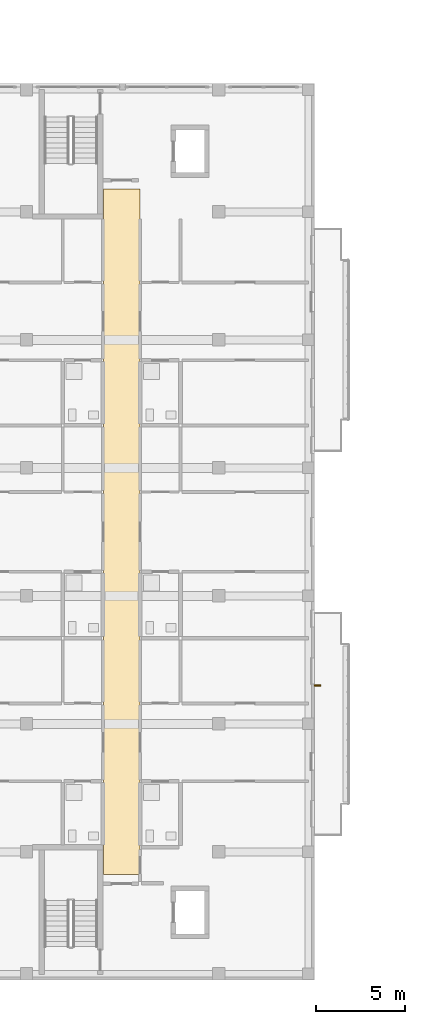
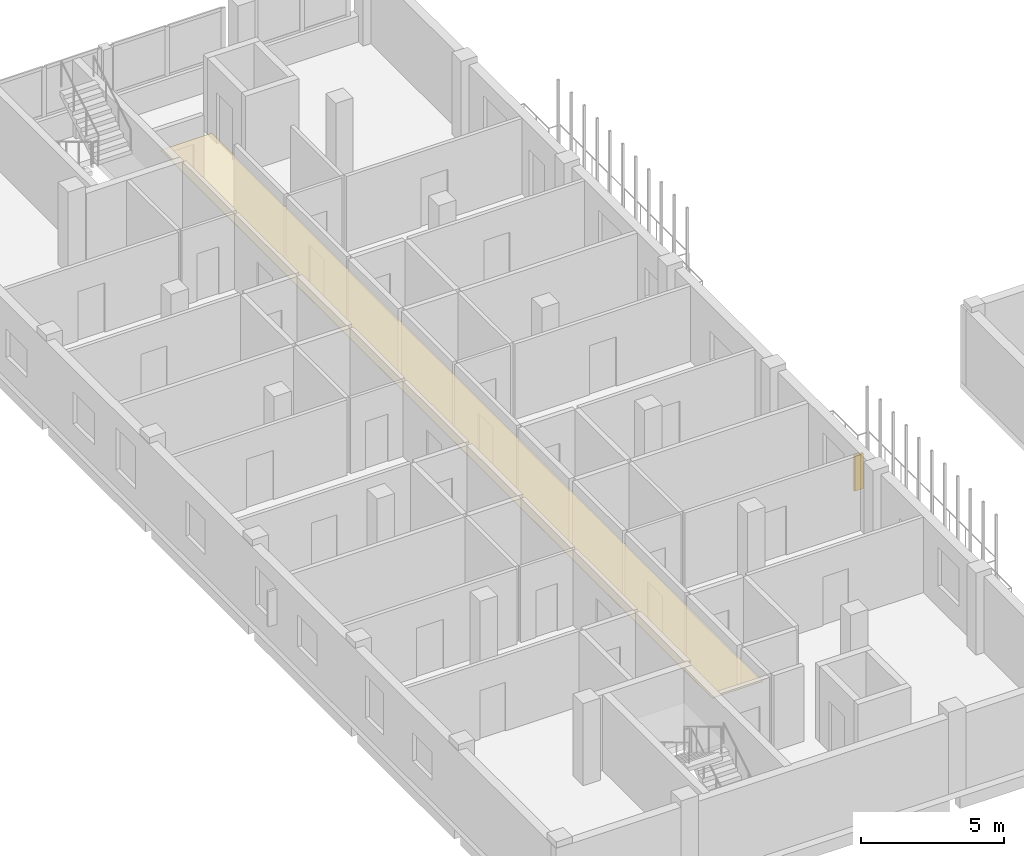
# One storey, part 59 of 73: 1 covering, 1 shading device.
"""IFC4 building model written with IfcOpenShell, lengths in metres."""

from ifc_helpers import new_model, si_unit, derived_unit, direction, frame, origin, origin_2d, place, context, subcontext, project, spatial, polyline, rectangle, outline, extrude, material, layer, layer_set, type_object, element, save


model = new_model("IFC4")

# Units and contexts
model_context = context("Model", 3, precision=1e-05, world=origin(), true_north=direction((0.0, 1.0)))
body_context = subcontext(model_context, "Body", "Model", "MODEL_VIEW")
ifc_project = project(units=[si_unit("LENGTHUNIT", "METRE"), si_unit("AREAUNIT", "SQUARE_METRE"), si_unit("VOLUMEUNIT", "CUBIC_METRE"), si_unit("PLANEANGLEUNIT", "RADIAN"), si_unit("MASSUNIT", "GRAM", prefix="KILO"), derived_unit("THERMALTRANSMITTANCEUNIT", [(si_unit("MASSUNIT", "GRAM", prefix="KILO"), 1), (si_unit("TIMEUNIT", "SECOND"), -3), (si_unit("THERMODYNAMICTEMPERATUREUNIT", "KELVIN"), -1)])], contexts=[model_context])

# Site, building, storey
site_placement = place(None, origin())
site = spatial("IfcSite", under=ifc_project, at=site_placement, CompositionType="ELEMENT")
building_placement = place(site_placement, origin())
building = spatial("IfcBuilding", under=site, at=building_placement, Name="Ochrekiln Boulevard Commons", CompositionType="ELEMENT")
storey_placement = place(building_placement, frame((0.0, 0.0, 8.574951171875)))
storey = spatial("IfcBuildingStorey", under=building, at=storey_placement, Name="L02", CompositionType="ELEMENT", Elevation=8.574951171875)

# Covering
ifc_material_1 = material(Name="Mineral-fibre acoustic ceiling tile")
ifc_layer = layer(ifc_material_1, 0.02490234375)
ifc_layer_set = layer_set([ifc_layer], Name="Mineral-fibre acoustic ceiling tile")
covering_type = type_object("IfcCoveringType", Name="COV-CEIL-AC", PredefinedType="CEILING", material=ifc_layer_set)
covering_placement = place(storey_placement, frame((0.0, 0.0, 2.650146484375)))
element("IfcCovering", 1, at=covering_placement, inside=storey, type_object=covering_type, Name="L02 Acoustic Corridor Ceiling 34", PredefinedType="CEILING", context=body_context, shape_type="SweptSolid", body=[
    extrude(outline(polyline([(9.719970703125, 5.919921875), (11.780029296875, 5.919921875), (11.780029296875, 44.47998046875), (9.719970703125, 44.47998046875), (9.719970703125, 5.919921875)])), origin(), (0.0, 0.0, 1.0), 0.02490234375),
])

# Shading device
ifc_material_2 = material(Name="Glazed architectural terracotta ASTM C1405", Category="masonry")
shading_device_type = type_object("IfcShadingDeviceType", Name="SHD-FIN-TERRA", PredefinedType="JALOUSIE", material=ifc_material_2)
shading_device_placement = place(storey_placement, frame((21.77001953125, 16.56005859375, 0.905029296875), z_axis=(0.0, 0.0, 1.0), x_axis=(1.0, 0.0, 0.0)))
element("IfcShadingDevice", 2, at=shading_device_placement, inside=storey, type_object=shading_device_type, Name="Terracotta Solar Shading Fin SF-01 (75)", PredefinedType="JALOUSIE", context=body_context, shape_type="SweptSolid", body=[
    extrude(rectangle(XDim=0.35009765625, YDim=0.080078125, at=origin_2d()), origin(), (0.0, 0.0, 1.0), 1.5),
])

save(model, "model.ifc")
